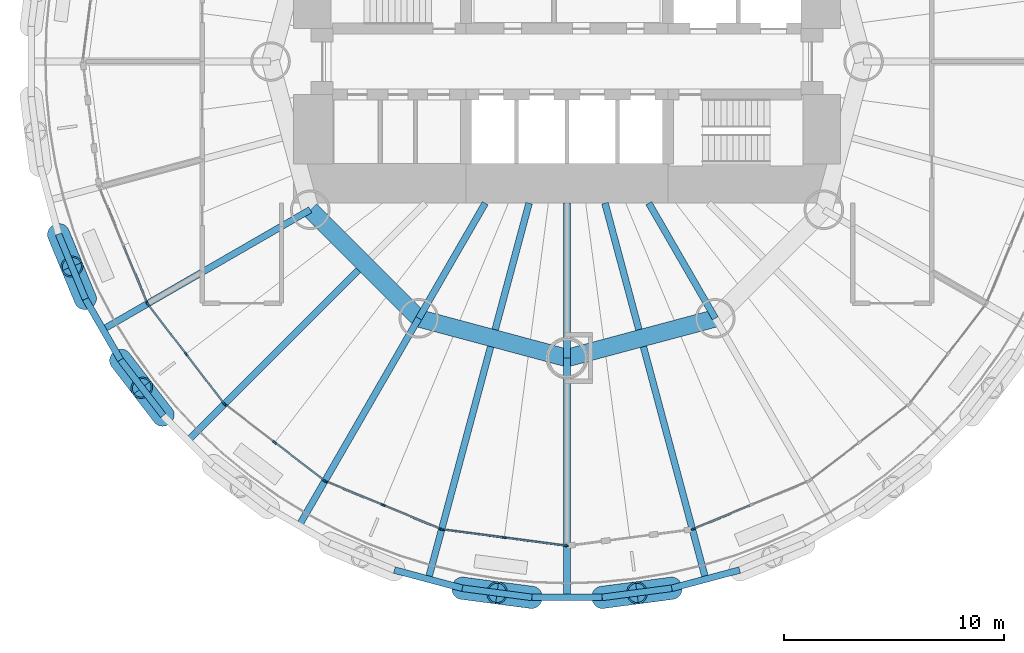
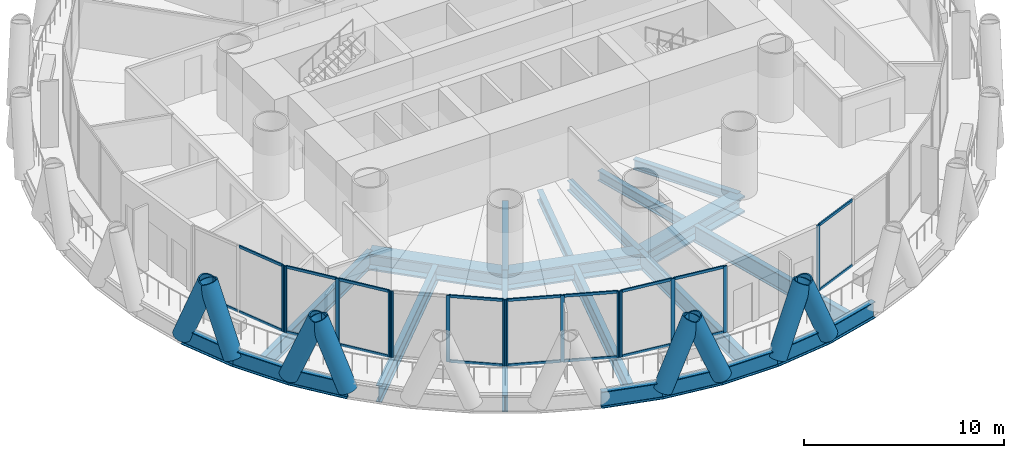
# One storey, part 2 of 16: 41 members, 22 beams, 6 elements without a shape of their own.
"""IFC4 building model written with IfcOpenShell, lengths in metres."""

from ifc_helpers import new_model, si_unit, direction, frame, origin, origin_2d, place, context, subcontext, project, spatial, rectangle, hollow_circle, i_section, extrude, material, material_profile, profile_set, type_object, element, aggregate, save


model = new_model("IFC4")

# Units and contexts
model_context = context("Model", 3, precision=1e-05, world=origin(), true_north=direction((0.0, 1.0)))
body_context = subcontext(model_context, "Body", "Model", "MODEL_VIEW")
ifc_project = project(units=[si_unit("LENGTHUNIT", "METRE"), si_unit("AREAUNIT", "SQUARE_METRE"), si_unit("VOLUMEUNIT", "CUBIC_METRE"), si_unit("PLANEANGLEUNIT", "RADIAN"), si_unit("MASSUNIT", "GRAM", prefix="KILO")], contexts=[model_context])

# Site, building, storey
site_placement = place(None, origin())
site = spatial("IfcSite", under=ifc_project, at=site_placement, CompositionType="ELEMENT")
building_placement = place(site_placement, origin())
building = spatial("IfcBuilding", under=site, at=building_placement, Name="Qaws Media Tower", CompositionType="ELEMENT")
storey_placement = place(building_placement, frame((0.0, 0.0, 181.39990234375)))
storey = spatial("IfcBuildingStorey", under=building, at=storey_placement, Name="L41", CompositionType="ELEMENT", Elevation=181.39990234375)

# Curtain wall, member
ifc_material_1 = material(Name="Aluminium and clear glass", Category="aluminium")
curtain_wall_type = type_object("IfcCurtainWallType", Name="Unitised curtain wall CW-B", PredefinedType="NOTDEFINED", material=ifc_material_1)
curtain_wall_1_placement = place(storey_placement, origin())
curtain_wall_1 = element("IfcCurtainWall", 1, at=curtain_wall_1_placement, inside=storey, type_object=curtain_wall_type, Name="CWB curtain wall L41-14", PredefinedType="NOTDEFINED")
ifc_material_2 = material(Name="Aluminium mullion", Category="aluminium")
ifc_material_profile_1 = material_profile(ifc_material_2, rectangle(XDim=0.080078125, YDim=0.199951171875, at=origin_2d()), Name="80x200")
ifc_profile_set_1 = profile_set([ifc_material_profile_1], Name="Aluminium mullion")
member_type_1 = type_object("IfcMemberType", Name="Curtain wall mullion 80x200", PredefinedType="MULLION", material=ifc_profile_set_1)
member_1_placement = place(storey_placement, frame((40.888916015625, 39.011962890625, 0.0), z_axis=(0.0, 0.0, 1.0), x_axis=(0.923879550525, 0.382683388877, 0.0)))
member_1 = element("IfcMember", 2, at=member_1_placement, type_object=member_type_1, Name="CWB mullion 3", PredefinedType="MULLION", context=body_context, shape_type="SweptSolid", body=[
    extrude(rectangle(XDim=0.080078125, YDim=0.199951171875, at=origin_2d()), origin(), (0.0, 0.0, 1.0), 4.0400390625),
])

# Curtain wall, members
curtain_wall_2_placement = place(storey_placement, origin())
curtain_wall_2 = element("IfcCurtainWall", 3, at=curtain_wall_2_placement, inside=storey, type_object=curtain_wall_type, Name="CWB curtain wall L41-15", PredefinedType="NOTDEFINED")
member_2_placement = place(storey_placement, frame((40.928466796875, 38.943359375, 0.0), z_axis=(0.0, 0.0, 1.0), x_axis=(0.79335342358, 0.608761320465, 0.0)))
member_2 = element("IfcMember", 4, at=member_2_placement, type_object=member_type_1, Name="CWB mullion 1", PredefinedType="MULLION", context=body_context, shape_type="SweptSolid", body=[
    extrude(rectangle(XDim=0.080078125, YDim=0.199951171875, at=origin_2d()), origin(), (0.0, 0.0, 1.0), 4.0400390625),
])
member_3_placement = place(storey_placement, frame((42.65625, 36.691650390625, 0.0), z_axis=(0.0, 0.0, 1.0), x_axis=(0.79335342358, 0.608761320465, 0.0)))
member_3 = element("IfcMember", 5, at=member_3_placement, type_object=member_type_1, Name="CWB mullion 2", PredefinedType="MULLION", context=body_context, shape_type="SweptSolid", body=[
    extrude(rectangle(XDim=0.080078125, YDim=0.199951171875, at=origin_2d()), origin(), (0.0, 0.0, 1.0), 4.0400390625),
])
member_4_placement = place(storey_placement, frame((44.384033203125, 34.43994140625, 0.0), z_axis=(0.0, 0.0, 1.0), x_axis=(0.79335342358, 0.608761320465, 0.0)))
member_4 = element("IfcMember", 6, at=member_4_placement, type_object=member_type_1, Name="CWB mullion 3", PredefinedType="MULLION", context=body_context, shape_type="SweptSolid", body=[
    extrude(rectangle(XDim=0.080078125, YDim=0.199951171875, at=origin_2d()), origin(), (0.0, 0.0, 1.0), 4.0400390625),
])

curtain_wall_3_placement = place(storey_placement, origin())
curtain_wall_3 = element("IfcCurtainWall", 7, at=curtain_wall_3_placement, inside=storey, type_object=curtain_wall_type, Name="CWB curtain wall L41-16", PredefinedType="NOTDEFINED")
member_5_placement = place(storey_placement, frame((44.43994140625, 34.384033203125, 0.0), z_axis=(0.0, 0.0, 1.0), x_axis=(0.608761320465, 0.79335342358, 0.0)))
member_5 = element("IfcMember", 8, at=member_5_placement, type_object=member_type_1, Name="CWB mullion 1", PredefinedType="MULLION", context=body_context, shape_type="SweptSolid", body=[
    extrude(rectangle(XDim=0.080078125, YDim=0.199951171875, at=origin_2d()), origin(), (0.0, 0.0, 1.0), 4.0400390625),
])
member_6_placement = place(storey_placement, frame((46.691650390625, 32.65625, 0.0), z_axis=(0.0, 0.0, 1.0), x_axis=(0.608761320465, 0.79335342358, 0.0)))
member_6 = element("IfcMember", 9, at=member_6_placement, type_object=member_type_1, Name="CWB mullion 2", PredefinedType="MULLION", context=body_context, shape_type="SweptSolid", body=[
    extrude(rectangle(XDim=0.080078125, YDim=0.199951171875, at=origin_2d()), origin(), (0.0, 0.0, 1.0), 4.0400390625),
])
member_7_placement = place(storey_placement, frame((48.943359375, 30.928466796875, 0.0), z_axis=(0.0, 0.0, 1.0), x_axis=(0.608761320465, 0.79335342358, 0.0)))
member_7 = element("IfcMember", 10, at=member_7_placement, type_object=member_type_1, Name="CWB mullion 3", PredefinedType="MULLION", context=body_context, shape_type="SweptSolid", body=[
    extrude(rectangle(XDim=0.080078125, YDim=0.199951171875, at=origin_2d()), origin(), (0.0, 0.0, 1.0), 4.0400390625),
])

curtain_wall_4_placement = place(storey_placement, origin())
curtain_wall_4 = element("IfcCurtainWall", 11, at=curtain_wall_4_placement, inside=storey, type_object=curtain_wall_type, Name="CWB curtain wall L41-17", PredefinedType="NOTDEFINED")
member_8_placement = place(storey_placement, frame((49.011962890625, 30.888916015625, 0.0), z_axis=(0.0, 0.0, 1.0), x_axis=(0.382683388877, 0.923879550525, 0.0)))
member_8 = element("IfcMember", 12, at=member_8_placement, type_object=member_type_1, Name="CWB mullion 1", PredefinedType="MULLION", context=body_context, shape_type="SweptSolid", body=[
    extrude(rectangle(XDim=0.080078125, YDim=0.199951171875, at=origin_2d()), origin(), (0.0, 0.0, 1.0), 4.0400390625),
])
member_9_placement = place(storey_placement, frame((51.634033203125, 29.802734375, 0.0), z_axis=(0.0, 0.0, 1.0), x_axis=(0.382683388877, 0.923879550525, 0.0)))
member_9 = element("IfcMember", 13, at=member_9_placement, type_object=member_type_1, Name="CWB mullion 2", PredefinedType="MULLION", context=body_context, shape_type="SweptSolid", body=[
    extrude(rectangle(XDim=0.080078125, YDim=0.199951171875, at=origin_2d()), origin(), (0.0, 0.0, 1.0), 4.0400390625),
])
member_10_placement = place(storey_placement, frame((54.256103515625, 28.716552734375, 0.0), z_axis=(0.0, 0.0, 1.0), x_axis=(0.382683388877, 0.923879550525, 0.0)))
member_10 = element("IfcMember", 14, at=member_10_placement, type_object=member_type_1, Name="CWB mullion 3", PredefinedType="MULLION", context=body_context, shape_type="SweptSolid", body=[
    extrude(rectangle(XDim=0.080078125, YDim=0.199951171875, at=origin_2d()), origin(), (0.0, 0.0, 1.0), 4.0400390625),
])

curtain_wall_5_placement = place(storey_placement, origin())
curtain_wall_5 = element("IfcCurtainWall", 15, at=curtain_wall_5_placement, inside=storey, type_object=curtain_wall_type, Name="CWB curtain wall L41-18", PredefinedType="NOTDEFINED")
member_11_placement = place(storey_placement, frame((54.332763671875, 28.696044921875, 0.0), z_axis=(0.0, 0.0, 1.0), x_axis=(0.130526271178, 0.991444850979, 0.0)))
member_11 = element("IfcMember", 16, at=member_11_placement, type_object=member_type_1, Name="CWB mullion 1", PredefinedType="MULLION", context=body_context, shape_type="SweptSolid", body=[
    extrude(rectangle(XDim=0.080078125, YDim=0.199951171875, at=origin_2d()), origin(), (0.0, 0.0, 1.0), 4.0400390625),
])
member_12_placement = place(storey_placement, frame((57.146484375, 28.32568359375, 0.0), z_axis=(0.0, 0.0, 1.0), x_axis=(0.130526271178, 0.991444850979, 0.0)))
member_12 = element("IfcMember", 17, at=member_12_placement, type_object=member_type_1, Name="CWB mullion 2", PredefinedType="MULLION", context=body_context, shape_type="SweptSolid", body=[
    extrude(rectangle(XDim=0.080078125, YDim=0.199951171875, at=origin_2d()), origin(), (0.0, 0.0, 1.0), 4.0400390625),
])
member_13_placement = place(storey_placement, frame((59.96044921875, 27.955322265625, 0.0), z_axis=(0.0, 0.0, 1.0), x_axis=(0.130526271178, 0.991444850979, 0.0)))
member_13 = element("IfcMember", 18, at=member_13_placement, type_object=member_type_1, Name="CWB mullion 3", PredefinedType="MULLION", context=body_context, shape_type="SweptSolid", body=[
    extrude(rectangle(XDim=0.080078125, YDim=0.199951171875, at=origin_2d()), origin(), (0.0, 0.0, 1.0), 4.0400390625),
])

# Curtain wall, member
curtain_wall_6_placement = place(storey_placement, origin())
curtain_wall_6 = element("IfcCurtainWall", 19, at=curtain_wall_6_placement, inside=storey, type_object=curtain_wall_type, Name="CWB curtain wall L41-20", PredefinedType="NOTDEFINED")
member_14_placement = place(storey_placement, frame((65.743896484375, 28.716552734375, 0.0), z_axis=(0.0, 0.0, 1.0), x_axis=(-0.382683388877, 0.923879550525, 0.0)))
member_14 = element("IfcMember", 20, at=member_14_placement, type_object=member_type_1, Name="CWB mullion 1", PredefinedType="MULLION", context=body_context, shape_type="SweptSolid", body=[
    extrude(rectangle(XDim=0.080078125, YDim=0.199951171875, at=origin_2d()), origin(), (0.0, 0.0, 1.0), 4.0400390625),
])

# Member
ifc_material_3 = material(Name="Aluminium transom", Category="aluminium")
ifc_material_profile_2 = material_profile(ifc_material_3, rectangle(XDim=0.080078125, YDim=0.159912109375, at=origin_2d()), Name="80x160")
ifc_profile_set_2 = profile_set([ifc_material_profile_2], Name="Aluminium transom")
member_type_2 = type_object("IfcMemberType", Name="Curtain wall transom 80x160", PredefinedType="USERDEFINED", material=ifc_profile_set_2)
member_15_placement = place(storey_placement, frame((38.73193359375, 44.21923828125, 0.0400390625), z_axis=(0.382641035771, -0.923897092616, 0.0), x_axis=(0.923897092616, 0.382641035771, 0.0)))
member_15 = element("IfcMember", 21, at=member_15_placement, type_object=member_type_2, Name="CWB transom 1.1", ObjectType="TRANSOM", PredefinedType="USERDEFINED", context=body_context, shape_type="SweptSolid", body=[
    extrude(rectangle(XDim=0.080078125, YDim=0.159912109375, at=origin_2d()), origin(), (0.0, 0.0, 1.0), 2.75830078125),
])

member_16_placement = place(storey_placement, frame((39.818115234375, 41.59716796875, 0.0400390625), z_axis=(0.382641035771, -0.923897092616, 0.0), x_axis=(0.923897092616, 0.382641035771, 0.0)))
member_16 = element("IfcMember", 22, at=member_16_placement, type_object=member_type_2, Name="CWB transom 2.1", ObjectType="TRANSOM", PredefinedType="USERDEFINED", context=body_context, shape_type="SweptSolid", body=[
    extrude(rectangle(XDim=0.080078125, YDim=0.159912109375, at=origin_2d()), origin(), (0.0, 0.0, 1.0), 2.75830078125),
])

member_17_placement = place(storey_placement, frame((39.818115234375, 41.59716796875, 4.0), z_axis=(0.382641035771, -0.923897092616, 0.0), x_axis=(0.923897092616, 0.382641035771, 0.0)))
member_17 = element("IfcMember", 23, at=member_17_placement, type_object=member_type_2, Name="CWB transom 2.2", ObjectType="TRANSOM", PredefinedType="USERDEFINED", context=body_context, shape_type="SweptSolid", body=[
    extrude(rectangle(XDim=0.080078125, YDim=0.159912109375, at=origin_2d()), origin(), (0.0, 0.0, 1.0), 2.75830078125),
])

aggregate(curtain_wall_1, [member_1, member_15, member_16, member_17])

member_18_placement = place(storey_placement, frame((40.952880859375, 38.91162109375, 0.0400390625), z_axis=(0.608730686286, -0.793376929066, 0.0), x_axis=(0.793376929066, 0.608730686286, 0.0)))
member_18 = element("IfcMember", 24, at=member_18_placement, type_object=member_type_2, Name="CWB transom 1.1", ObjectType="TRANSOM", PredefinedType="USERDEFINED", context=body_context, shape_type="SweptSolid", body=[
    extrude(rectangle(XDim=0.080078125, YDim=0.159912109375, at=origin_2d()), origin(), (0.0, 0.0, 1.0), 2.758056640625),
])

member_19_placement = place(storey_placement, frame((40.952880859375, 38.91162109375, 4.0), z_axis=(0.608730686286, -0.793376929066, 0.0), x_axis=(0.793376929066, 0.608730686286, 0.0)))
member_19 = element("IfcMember", 25, at=member_19_placement, type_object=member_type_2, Name="CWB transom 1.2", ObjectType="TRANSOM", PredefinedType="USERDEFINED", context=body_context, shape_type="SweptSolid", body=[
    extrude(rectangle(XDim=0.080078125, YDim=0.159912109375, at=origin_2d()), origin(), (0.0, 0.0, 1.0), 2.758056640625),
])

member_20_placement = place(storey_placement, frame((42.6806640625, 36.659912109375, 0.0400390625), z_axis=(0.608730686286, -0.793376929066, 0.0), x_axis=(0.793376929066, 0.608730686286, 0.0)))
member_20 = element("IfcMember", 26, at=member_20_placement, type_object=member_type_2, Name="CWB transom 2.1", ObjectType="TRANSOM", PredefinedType="USERDEFINED", context=body_context, shape_type="SweptSolid", body=[
    extrude(rectangle(XDim=0.080078125, YDim=0.159912109375, at=origin_2d()), origin(), (0.0, 0.0, 1.0), 2.758056640625),
])

member_21_placement = place(storey_placement, frame((42.6806640625, 36.659912109375, 4.0), z_axis=(0.608730686286, -0.793376929066, 0.0), x_axis=(0.793376929066, 0.608730686286, 0.0)))
member_21 = element("IfcMember", 27, at=member_21_placement, type_object=member_type_2, Name="CWB transom 2.2", ObjectType="TRANSOM", PredefinedType="USERDEFINED", context=body_context, shape_type="SweptSolid", body=[
    extrude(rectangle(XDim=0.080078125, YDim=0.159912109375, at=origin_2d()), origin(), (0.0, 0.0, 1.0), 2.758056640625),
])

aggregate(curtain_wall_2, [member_2, member_3, member_4, member_18, member_19, member_20, member_21])

member_22_placement = place(storey_placement, frame((46.723388671875, 32.6318359375, 0.0400390625), z_axis=(0.793376929066, -0.608730686286, 0.0), x_axis=(0.608730686286, 0.793376929066, 0.0)))
member_22 = element("IfcMember", 28, at=member_22_placement, type_object=member_type_2, Name="CWB transom 2.1", ObjectType="TRANSOM", PredefinedType="USERDEFINED", context=body_context, shape_type="SweptSolid", body=[
    extrude(rectangle(XDim=0.080078125, YDim=0.159912109375, at=origin_2d()), origin(), (0.0, 0.0, 1.0), 2.758056640625),
])

member_23_placement = place(storey_placement, frame((46.723388671875, 32.6318359375, 4.0), z_axis=(0.793376929066, -0.608730686286, 0.0), x_axis=(0.608730686286, 0.793376929066, 0.0)))
member_23 = element("IfcMember", 29, at=member_23_placement, type_object=member_type_2, Name="CWB transom 2.2", ObjectType="TRANSOM", PredefinedType="USERDEFINED", context=body_context, shape_type="SweptSolid", body=[
    extrude(rectangle(XDim=0.080078125, YDim=0.159912109375, at=origin_2d()), origin(), (0.0, 0.0, 1.0), 2.758056640625),
])

aggregate(curtain_wall_3, [member_5, member_6, member_7, member_22, member_23])

member_24_placement = place(storey_placement, frame((49.048828125, 30.87353515625, 0.0400390625), z_axis=(0.923897092616, -0.382641035771, 0.0), x_axis=(0.382641035771, 0.923897092616, 0.0)))
member_24 = element("IfcMember", 30, at=member_24_placement, type_object=member_type_2, Name="CWB transom 1.1", ObjectType="TRANSOM", PredefinedType="USERDEFINED", context=body_context, shape_type="SweptSolid", body=[
    extrude(rectangle(XDim=0.080078125, YDim=0.159912109375, at=origin_2d()), origin(), (0.0, 0.0, 1.0), 2.75830078125),
])

member_25_placement = place(storey_placement, frame((49.048828125, 30.87353515625, 4.0), z_axis=(0.923897092616, -0.382641035771, 0.0), x_axis=(0.382641035771, 0.923897092616, 0.0)))
member_25 = element("IfcMember", 31, at=member_25_placement, type_object=member_type_2, Name="CWB transom 1.2", ObjectType="TRANSOM", PredefinedType="USERDEFINED", context=body_context, shape_type="SweptSolid", body=[
    extrude(rectangle(XDim=0.080078125, YDim=0.159912109375, at=origin_2d()), origin(), (0.0, 0.0, 1.0), 2.75830078125),
])

member_26_placement = place(storey_placement, frame((51.6708984375, 29.787353515625, 0.0400390625), z_axis=(0.923897092616, -0.382641035771, 0.0), x_axis=(0.382641035771, 0.923897092616, 0.0)))
member_26 = element("IfcMember", 32, at=member_26_placement, type_object=member_type_2, Name="CWB transom 2.1", ObjectType="TRANSOM", PredefinedType="USERDEFINED", context=body_context, shape_type="SweptSolid", body=[
    extrude(rectangle(XDim=0.080078125, YDim=0.159912109375, at=origin_2d()), origin(), (0.0, 0.0, 1.0), 2.75830078125),
])

member_27_placement = place(storey_placement, frame((51.6708984375, 29.787353515625, 4.0), z_axis=(0.923897092616, -0.382641035771, 0.0), x_axis=(0.382641035771, 0.923897092616, 0.0)))
member_27 = element("IfcMember", 33, at=member_27_placement, type_object=member_type_2, Name="CWB transom 2.2", ObjectType="TRANSOM", PredefinedType="USERDEFINED", context=body_context, shape_type="SweptSolid", body=[
    extrude(rectangle(XDim=0.080078125, YDim=0.159912109375, at=origin_2d()), origin(), (0.0, 0.0, 1.0), 2.75830078125),
])

aggregate(curtain_wall_4, [member_8, member_9, member_10, member_24, member_25, member_26, member_27])

member_28_placement = place(storey_placement, frame((54.372314453125, 28.69091796875, 0.0400390625), z_axis=(0.991440732967, -0.130557546748, 0.0), x_axis=(0.130557546748, 0.991440732967, 0.0)))
member_28 = element("IfcMember", 34, at=member_28_placement, type_object=member_type_2, Name="CWB transom 1.1", ObjectType="TRANSOM", PredefinedType="USERDEFINED", context=body_context, shape_type="SweptSolid", body=[
    extrude(rectangle(XDim=0.080078125, YDim=0.159912109375, at=origin_2d()), origin(), (0.0, 0.0, 1.0), 2.75830078125),
])

member_29_placement = place(storey_placement, frame((54.372314453125, 28.69091796875, 4.0), z_axis=(0.991440732967, -0.130557546748, 0.0), x_axis=(0.130557546748, 0.991440732967, 0.0)))
member_29 = element("IfcMember", 35, at=member_29_placement, type_object=member_type_2, Name="CWB transom 1.2", ObjectType="TRANSOM", PredefinedType="USERDEFINED", context=body_context, shape_type="SweptSolid", body=[
    extrude(rectangle(XDim=0.080078125, YDim=0.159912109375, at=origin_2d()), origin(), (0.0, 0.0, 1.0), 2.75830078125),
])

member_30_placement = place(storey_placement, frame((57.186279296875, 28.320556640625, 0.0400390625), z_axis=(0.991439224031, -0.13056900495, 0.0), x_axis=(0.13056900495, 0.991439224031, 0.0)))
member_30 = element("IfcMember", 36, at=member_30_placement, type_object=member_type_2, Name="CWB transom 2.1", ObjectType="TRANSOM", PredefinedType="USERDEFINED", context=body_context, shape_type="SweptSolid", body=[
    extrude(rectangle(XDim=0.080078125, YDim=0.159912109375, at=origin_2d()), origin(), (0.0, 0.0, 1.0), 2.758056640625),
])

member_31_placement = place(storey_placement, frame((57.186279296875, 28.320556640625, 4.0), z_axis=(0.991439224031, -0.13056900495, 0.0), x_axis=(0.13056900495, 0.991439224031, 0.0)))
member_31 = element("IfcMember", 37, at=member_31_placement, type_object=member_type_2, Name="CWB transom 2.2", ObjectType="TRANSOM", PredefinedType="USERDEFINED", context=body_context, shape_type="SweptSolid", body=[
    extrude(rectangle(XDim=0.080078125, YDim=0.159912109375, at=origin_2d()), origin(), (0.0, 0.0, 1.0), 2.758056640625),
])

aggregate(curtain_wall_5, [member_11, member_12, member_13, member_28, member_29, member_30, member_31])

member_32_placement = place(storey_placement, frame((65.78076171875, 28.73193359375, 0.0400390625), z_axis=(0.923897092616, 0.382641035771, 0.0), x_axis=(-0.382641035771, 0.923897092616, 0.0)))
member_32 = element("IfcMember", 38, at=member_32_placement, type_object=member_type_2, Name="CWB transom 1.1", ObjectType="TRANSOM", PredefinedType="USERDEFINED", context=body_context, shape_type="SweptSolid", body=[
    extrude(rectangle(XDim=0.080078125, YDim=0.159912109375, at=origin_2d()), origin(), (0.0, 0.0, 1.0), 2.75830078125),
])

member_33_placement = place(storey_placement, frame((65.78076171875, 28.73193359375, 4.0), z_axis=(0.923897092616, 0.382641035771, 0.0), x_axis=(-0.382641035771, 0.923897092616, 0.0)))
member_33 = element("IfcMember", 39, at=member_33_placement, type_object=member_type_2, Name="CWB transom 1.2", ObjectType="TRANSOM", PredefinedType="USERDEFINED", context=body_context, shape_type="SweptSolid", body=[
    extrude(rectangle(XDim=0.080078125, YDim=0.159912109375, at=origin_2d()), origin(), (0.0, 0.0, 1.0), 2.75830078125),
])

aggregate(curtain_wall_6, [member_14, member_32, member_33])

# Members
ifc_material_4 = material(Name="Steel S460", Category="steel")
ifc_material_profile_3 = material_profile(ifc_material_4, hollow_circle(Radius=0.508056640625, WallThickness=0.070068359375, at=origin_2d()), Name="CHS 1016x70")
ifc_profile_set_3 = profile_set([ifc_material_profile_3], Name="Steel S460")
member_type_3 = type_object("IfcMemberType", Name="Diagrid member CHS 1016x70", PredefinedType="USERDEFINED", material=ifc_profile_set_3)
for number, where, z_axis, x_axis, name in (
    (40, (36.84765625, 42.140869140625, -0.663818359375), (0.142936555494, -0.346608267327, 0.927055473057), (0.924475599504, 0.3812412175, 0.0), "DG3 diagrid L41 A14"),
    (41, (39.670654296875, 36.416259765625, -0.663818359375), (0.22777293428, -0.29778205683, 0.927062747089), (0.794284150065, 0.60754645004, 0.0), "DG3 diagrid L41 A15"),
):
    element("IfcMember", number, at=place(storey_placement, frame(where, z_axis=z_axis, x_axis=x_axis)), inside=storey, type_object=member_type_3, Name=name, ObjectType="DIAGRID", PredefinedType="USERDEFINED", context=body_context, shape_type="SweptSolid", body=[
        extrude(hollow_circle(Radius=0.508056640625, WallThickness=0.070068359375, at=origin_2d()), origin(), (0.0, 0.0, 1.0), 4.264892578125),
    ])
for number, where, z_axis, x_axis, name in (
    (42, (38.071533203125, 39.18603515625, -0.663818359375), (-0.144021694718, 0.346201593662, 0.927039485673), (-0.923293573084, -0.384095011554, 0.0), "DG3 diagrid L41 B15"),
    (43, (41.617431640625, 33.87890625, -0.663818359375), (-0.2286838659, 0.297145919371, 0.92704260532), (-0.792482086019, -0.609895190454, 0.0), "DG3 diagrid L41 B16"),
    (44, (55.22998046875, 26.019775390625, -0.663818359375), (0.371676265111, -0.049457614825, 0.927044064912), (0.131903716104, 0.991262533176, 0.0), "DG3 diagrid L41 A18"),
):
    element("IfcMember", number, at=place(storey_placement, frame(where, z_axis=z_axis, x_axis=x_axis)), inside=storey, type_object=member_type_3, Name=name, ObjectType="DIAGRID", PredefinedType="USERDEFINED", context=body_context, shape_type="SweptSolid", body=[
        extrude(hollow_circle(Radius=0.508056640625, WallThickness=0.070068359375, at=origin_2d()), origin(), (0.0, 0.0, 1.0), 4.26513671875),
    ])
for number, where, z_axis, x_axis, name in (
    (45, (61.59912109375, 25.602294921875, -0.663818359375), (0.371793676608, 0.048427629009, 0.927051361459), (-0.129162953207, 0.991623381894, 0.0), "DG3 diagrid L41 A19"),
    (46, (58.40087890625, 25.602294921875, -0.663818359375), (-0.371793676608, 0.048427629009, 0.927051361459), (-0.129162953207, -0.991623381894, 0.0), "DG3 diagrid L41 B19"),
):
    element("IfcMember", number, at=place(storey_placement, frame(where, z_axis=z_axis, x_axis=x_axis)), inside=storey, type_object=member_type_3, Name=name, ObjectType="DIAGRID", PredefinedType="USERDEFINED", context=body_context, shape_type="SweptSolid", body=[
        extrude(hollow_circle(Radius=0.508056640625, WallThickness=0.070068359375, at=origin_2d()), origin(), (0.0, 0.0, 1.0), 4.264892578125),
    ])
member_34_placement = place(storey_placement, frame((64.77001953125, 26.019775390625, -0.663818359375), z_axis=(-0.371676265111, -0.049457614825, 0.927044064912), x_axis=(0.131903716104, -0.991262533176, 0.0)))
element("IfcMember", 47, at=member_34_placement, inside=storey, type_object=member_type_3, Name="DG3 diagrid L41 B20", ObjectType="DIAGRID", PredefinedType="USERDEFINED", context=body_context, shape_type="SweptSolid", body=[
    extrude(hollow_circle(Radius=0.508056640625, WallThickness=0.070068359375, at=origin_2d()), origin(), (0.0, 0.0, 1.0), 4.26513671875),
])

# Beams
ifc_material_5 = material(Name="Steel S460", Category="steel")
ifc_material_profile_4 = material_profile(ifc_material_5, i_section(OverallWidth=0.302001953125, OverallDepth=1.008056640625, WebThickness=0.02099609375, FlangeThickness=0.0400390625, FilletRadius=0.030029296875, at=origin_2d()), Name="HE 1000 M")
ifc_profile_set_4 = profile_set([ifc_material_profile_4], Name="Steel S460")
beam_type_1 = type_object("IfcBeamType", Name="Edge ring beam HE 1000 M", PredefinedType="BEAM", material=ifc_profile_set_4)
for number, where, z_axis, x_axis, name in (
    (48, (36.84765625, 42.140869140625, -0.663818359375), (0.382668658443, -0.923885651932, 0.0), (0.923885651932, 0.382668658443, 0.0), "RB3 edge ring beam L41-27"),
    (49, (38.071533203125, 39.18603515625, -0.663818359375), (0.499997778408, -0.866026686418, 0.0), (0.866026686418, 0.499997778408, 0.0), "RB3 edge ring beam L41-28"),
    (50, (39.670654296875, 36.416259765625, -0.663818359375), (0.608721577857, -0.793383917565, 0.0), (0.793383917565, 0.608721577857, 0.0), "RB3 edge ring beam L41-29"),
    (51, (52.140869140625, 26.84765625, -0.663818359375), (0.965913632625, -0.258864548189, 0.0), (0.258864548189, 0.965913632625, 0.0), "RB3 edge ring beam L41-34"),
    (52, (55.22998046875, 26.019775390625, -0.663818359375), (0.991443899561, -0.130533497709, 0.0), (0.130533497709, 0.991443899561, 0.0), "RB3 edge ring beam L41-35"),
    (53, (58.40087890625, 25.602294921875, -0.663818359375), (1.0, 0.0, 0.0), (0.0, 1.0, 0.0), "RB3 edge ring beam L41-36"),
    (54, (61.59912109375, 25.602294921875, -0.663818359375), (0.991443899561, 0.130533497709, 0.0), (-0.130533497709, 0.991443899561, 0.0), "RB3 edge ring beam L41-37"),
    (55, (64.77001953125, 26.019775390625, -0.663818359375), (0.965913632625, 0.258864548189, 0.0), (-0.258864548189, 0.965913632625, 0.0), "RB3 edge ring beam L41-38"),
):
    element("IfcBeam", number, at=place(storey_placement, frame(where, z_axis=z_axis, x_axis=x_axis)), inside=storey, type_object=beam_type_1, Name=name, PredefinedType="BEAM", context=body_context, shape_type="SweptSolid", body=[
        extrude(i_section(OverallWidth=0.302001953125, OverallDepth=1.008056640625, WebThickness=0.02099609375, FlangeThickness=0.0400390625, FilletRadius=0.030029296875, at=origin_2d()), origin(), (0.0, 0.0, 1.0), 3.1982421875),
    ])
ifc_material_6 = material(Name="Steel S460", Category="steel")
ifc_material_profile_5 = material_profile(ifc_material_6, i_section(OverallWidth=0.800048828125, OverallDepth=1.0, WebThickness=0.0400390625, FlangeThickness=0.10009765625, at=origin_2d()), Name="PG 1000x800")
ifc_profile_set_5 = profile_set([ifc_material_profile_5], Name="Steel S460")
beam_type_2 = type_object("IfcBeamType", Name="Inner ring girder PG 1000x800", PredefinedType="BEAM", material=ifc_profile_set_5)
beam_1_placement = place(storey_placement, frame((48.30859375, 43.25, -0.659912109375), z_axis=(0.707106781187, -0.707106781187, 0.0), x_axis=(0.707106781187, 0.707106781187, 0.0)))
element("IfcBeam", 56, at=beam_1_placement, inside=storey, type_object=beam_type_2, Name="B3 inner ring beam L41 I08-I09", PredefinedType="BEAM", context=body_context, shape_type="SweptSolid", body=[
    extrude(i_section(OverallWidth=0.800048828125, OverallDepth=1.0, WebThickness=0.0400390625, FlangeThickness=0.10009765625, at=origin_2d()), origin(), (0.0, 0.0, 1.0), 6.98828125),
])
for number, where, z_axis, x_axis, name in (
    (57, (53.25, 38.30859375, -0.659912109375), (0.965928090778, -0.258810593767, 0.0), (0.258810593767, 0.965928090778, 0.0), "B3 inner ring beam L41 I09-I10"),
    (58, (60.0, 36.5, -0.659912109375), (0.965928090778, 0.258810593767, 0.0), (-0.258810593767, 0.965928090778, 0.0), "B3 inner ring beam L41 I10-I11"),
):
    element("IfcBeam", number, at=place(storey_placement, frame(where, z_axis=z_axis, x_axis=x_axis)), inside=storey, type_object=beam_type_2, Name=name, PredefinedType="BEAM", context=body_context, shape_type="SweptSolid", body=[
        extrude(i_section(OverallWidth=0.800048828125, OverallDepth=1.0, WebThickness=0.0400390625, FlangeThickness=0.10009765625, at=origin_2d()), origin(), (0.0, 0.0, 1.0), 6.988037109375),
    ])
ifc_material_7 = material(Name="Steel S355", Category="steel")
ifc_material_profile_6 = material_profile(ifc_material_7, i_section(OverallWidth=0.302001953125, OverallDepth=1.008056640625, WebThickness=0.02099609375, FlangeThickness=0.0400390625, FilletRadius=0.030029296875, at=origin_2d()), Name="HE 1000 M")
ifc_profile_set_6 = profile_set([ifc_material_profile_6], Name="Steel S355")
beam_type_3 = type_object("IfcBeamType", Name="Radial beam HE 1000 M", PredefinedType="BEAM", material=ifc_profile_set_6)
beam_2_placement = place(storey_placement, frame((48.30859375, 43.25, -0.663818359375), z_axis=(-0.86602590829, -0.49999912617, 0.0), x_axis=(0.49999912617, -0.86602590829, 0.0)))
element("IfcBeam", 59, at=beam_2_placement, inside=storey, type_object=beam_type_3, Name="B1 radial beam L41 15", PredefinedType="BEAM", context=body_context, shape_type="SweptSolid", body=[
    extrude(i_section(OverallWidth=0.302001953125, OverallDepth=1.008056640625, WebThickness=0.02099609375, FlangeThickness=0.0400390625, FilletRadius=0.030029296875, at=origin_2d()), origin(), (0.0, 0.0, 1.0), 10.8974609375),
])
beam_3_placement = place(storey_placement, frame((50.49658203125, 40.49658203125, -0.663818359375), z_axis=(-0.707106781187, -0.707106781187, 0.0), x_axis=(0.707106781187, -0.707106781187, 0.0)))
element("IfcBeam", 60, at=beam_3_placement, inside=storey, type_object=beam_type_3, Name="B1 radial beam L41 16", PredefinedType="BEAM", context=body_context, shape_type="SweptSolid", body=[
    extrude(i_section(OverallWidth=0.302001953125, OverallDepth=1.008056640625, WebThickness=0.02099609375, FlangeThickness=0.0400390625, FilletRadius=0.030029296875, at=origin_2d()), origin(), (0.0, 0.0, 1.0), 10.957763671875),
])
beam_4_placement = place(storey_placement, frame((53.25, 38.30859375, -0.663818359375), z_axis=(-0.49999912617, -0.86602590829, 0.0), x_axis=(0.86602590829, -0.49999912617, 0.0)))
element("IfcBeam", 61, at=beam_4_placement, inside=storey, type_object=beam_type_3, Name="B1 radial beam L41 17", PredefinedType="BEAM", context=body_context, shape_type="SweptSolid", body=[
    extrude(i_section(OverallWidth=0.302001953125, OverallDepth=1.008056640625, WebThickness=0.02099609375, FlangeThickness=0.0400390625, FilletRadius=0.030029296875, at=origin_2d()), origin(), (0.0, 0.0, 1.0), 10.8974609375),
])
beam_5_placement = place(storey_placement, frame((56.521484375, 37.01806640625, -0.663818359375), z_axis=(-0.258825919743, -0.965923984208, 0.0), x_axis=(0.965923984208, -0.258825919743, 0.0)))
element("IfcBeam", 62, at=beam_5_placement, inside=storey, type_object=beam_type_3, Name="B1 radial beam L41 18", PredefinedType="BEAM", context=body_context, shape_type="SweptSolid", body=[
    extrude(i_section(OverallWidth=0.302001953125, OverallDepth=1.008056640625, WebThickness=0.02099609375, FlangeThickness=0.0400390625, FilletRadius=0.030029296875, at=origin_2d()), origin(), (0.0, 0.0, 1.0), 10.957763671875),
])
beam_6_placement = place(storey_placement, frame((60.0, 36.5, -0.663818359375), z_axis=(0.0, -1.0, 0.0), x_axis=(1.0, 0.0, 0.0)))
element("IfcBeam", 63, at=beam_6_placement, inside=storey, type_object=beam_type_3, Name="B1 radial beam L41 19", PredefinedType="BEAM", context=body_context, shape_type="SweptSolid", body=[
    extrude(i_section(OverallWidth=0.302001953125, OverallDepth=1.008056640625, WebThickness=0.02099609375, FlangeThickness=0.0400390625, FilletRadius=0.030029296875, at=origin_2d()), origin(), (0.0, 0.0, 1.0), 10.897705078125),
])
beam_7_placement = place(storey_placement, frame((63.478515625, 37.01806640625, -0.663818359375), z_axis=(0.258825919743, -0.965923984208, 0.0), x_axis=(0.965923984208, 0.258825919743, 0.0)))
element("IfcBeam", 64, at=beam_7_placement, inside=storey, type_object=beam_type_3, Name="B1 radial beam L41 20", PredefinedType="BEAM", context=body_context, shape_type="SweptSolid", body=[
    extrude(i_section(OverallWidth=0.302001953125, OverallDepth=1.008056640625, WebThickness=0.02099609375, FlangeThickness=0.0400390625, FilletRadius=0.030029296875, at=origin_2d()), origin(), (0.0, 0.0, 1.0), 10.957763671875),
])
ifc_material_8 = material(Name="Steel S355", Category="steel")
ifc_material_profile_7 = material_profile(ifc_material_8, i_section(OverallWidth=0.304931640625, OverallDepth=0.6201171875, WebThickness=0.02099609375, FlangeThickness=0.0400390625, FilletRadius=0.027099609375, at=origin_2d()), Name="HE 600 M")
ifc_profile_set_7 = profile_set([ifc_material_profile_7], Name="Steel S355")
beam_type_4 = type_object("IfcBeamType", Name="Radial beam HE 600 M, core side", PredefinedType="BEAM", material=ifc_profile_set_7)
beam_8_placement = place(storey_placement, frame((56.276123046875, 43.550048828125, -0.469970703125), z_axis=(-0.499995978368, -0.866027725662, 0.0), x_axis=(0.866027725662, -0.499995978368, 0.0)))
element("IfcBeam", 65, at=beam_8_placement, inside=storey, type_object=beam_type_4, Name="B2 radial beam L41 17", PredefinedType="BEAM", context=body_context, shape_type="SweptSolid", body=[
    extrude(i_section(OverallWidth=0.304931640625, OverallDepth=0.6201171875, WebThickness=0.02099609375, FlangeThickness=0.0400390625, FilletRadius=0.027099609375, at=origin_2d()), origin(), (0.0, 0.0, 1.0), 6.05224609375),
])
beam_9_placement = place(storey_placement, frame((58.271728515625, 43.550048828125, -0.469970703125), z_axis=(-0.258822046006, -0.965925022194, 0.0), x_axis=(0.965925022194, -0.258822046006, 0.0)))
element("IfcBeam", 66, at=beam_9_placement, inside=storey, type_object=beam_type_4, Name="B2 radial beam L41 18", PredefinedType="BEAM", context=body_context, shape_type="SweptSolid", body=[
    extrude(i_section(OverallWidth=0.304931640625, OverallDepth=0.6201171875, WebThickness=0.02099609375, FlangeThickness=0.0400390625, FilletRadius=0.027099609375, at=origin_2d()), origin(), (0.0, 0.0, 1.0), 5.96240234375),
])
beam_10_placement = place(storey_placement, frame((60.0, 43.550048828125, -0.469970703125), z_axis=(0.0, -1.0, 0.0), x_axis=(1.0, 0.0, 0.0)))
element("IfcBeam", 67, at=beam_10_placement, inside=storey, type_object=beam_type_4, Name="B2 radial beam L41 19", PredefinedType="BEAM", context=body_context, shape_type="SweptSolid", body=[
    extrude(i_section(OverallWidth=0.304931640625, OverallDepth=0.6201171875, WebThickness=0.02099609375, FlangeThickness=0.0400390625, FilletRadius=0.027099609375, at=origin_2d()), origin(), (0.0, 0.0, 1.0), 7.050048828125),
])
beam_11_placement = place(storey_placement, frame((61.728271484375, 43.550048828125, -0.469970703125), z_axis=(0.258822046006, -0.965925022194, 0.0), x_axis=(0.965925022194, 0.258822046006, 0.0)))
element("IfcBeam", 68, at=beam_11_placement, inside=storey, type_object=beam_type_4, Name="B2 radial beam L41 20", PredefinedType="BEAM", context=body_context, shape_type="SweptSolid", body=[
    extrude(i_section(OverallWidth=0.304931640625, OverallDepth=0.6201171875, WebThickness=0.02099609375, FlangeThickness=0.0400390625, FilletRadius=0.027099609375, at=origin_2d()), origin(), (0.0, 0.0, 1.0), 5.96240234375),
])
beam_12_placement = place(storey_placement, frame((63.723876953125, 43.550048828125, -0.469970703125), z_axis=(0.499995978368, -0.866027725662, 0.0), x_axis=(0.866027725662, 0.499995978368, 0.0)))
element("IfcBeam", 69, at=beam_12_placement, inside=storey, type_object=beam_type_4, Name="B2 radial beam L41 21", PredefinedType="BEAM", context=body_context, shape_type="SweptSolid", body=[
    extrude(i_section(OverallWidth=0.304931640625, OverallDepth=0.6201171875, WebThickness=0.02099609375, FlangeThickness=0.0400390625, FilletRadius=0.027099609375, at=origin_2d()), origin(), (0.0, 0.0, 1.0), 6.05224609375),
])

save(model, "model.ifc")
